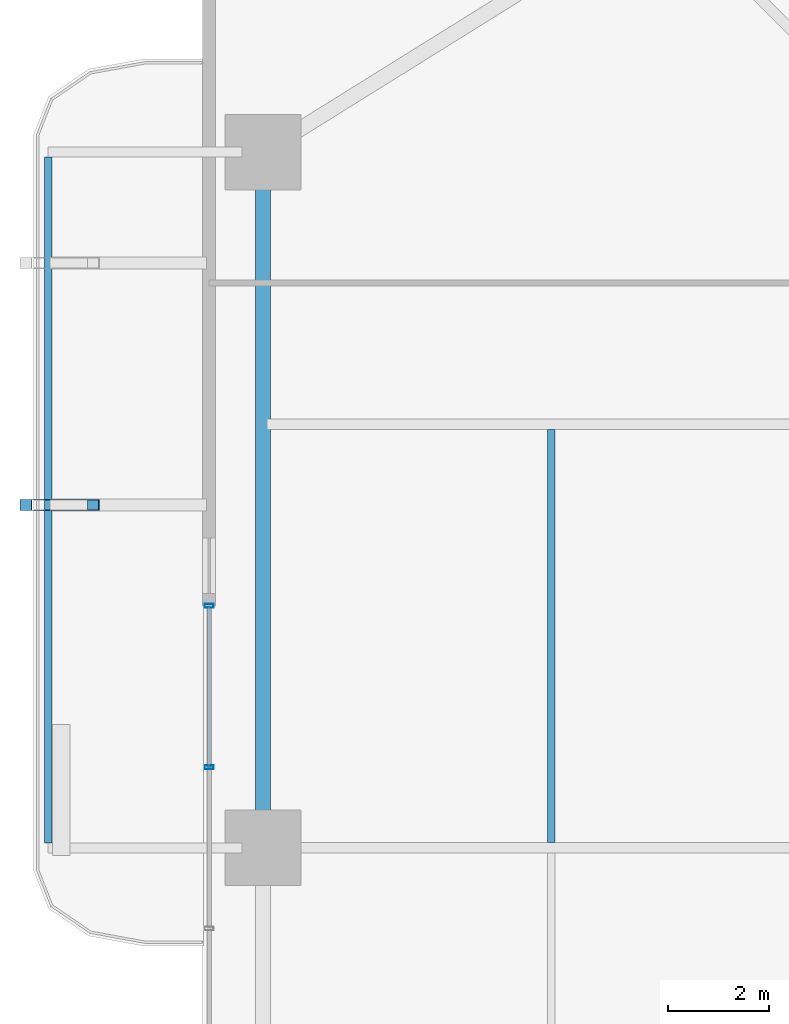
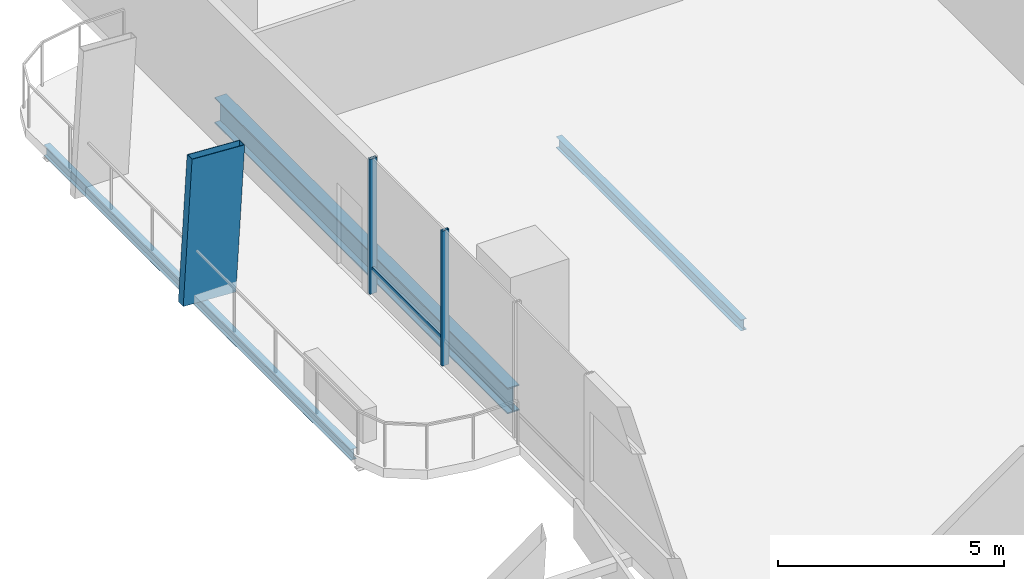
# One storey, part 9 of 23: 4 members, 3 beams, 1 element without a shape of its own.
"""IFC4 building model written with IfcOpenShell, lengths in metres."""

from ifc_helpers import new_model, si_unit, direction, frame, origin, origin_2d, place, context, subcontext, project, spatial, hollow_rectangle, i_section, extrude, material, layer, layer_set, material_profile, profile_set, type_object, element, aggregate, save


model = new_model("IFC4")

# Units and contexts
model_context = context("Model", 3, precision=1e-05, world=origin(), true_north=direction((0.0, 1.0)))
body_context = subcontext(model_context, "Body", "Model", "MODEL_VIEW")
ifc_project = project(units=[si_unit("LENGTHUNIT", "METRE"), si_unit("AREAUNIT", "SQUARE_METRE"), si_unit("VOLUMEUNIT", "CUBIC_METRE"), si_unit("PLANEANGLEUNIT", "RADIAN"), si_unit("MASSUNIT", "GRAM", prefix="KILO")], contexts=[model_context])

# Site, building, storey
site_placement = place(None, origin())
site = spatial("IfcSite", under=ifc_project, at=site_placement, CompositionType="ELEMENT")
building_placement = place(site_placement, origin())
building = spatial("IfcBuilding", under=site, at=building_placement, Name="Belovzor Exchange Tower", CompositionType="ELEMENT")
storey_placement = place(building_placement, frame((0.0, 0.0, 41.699951171875)))
storey = spatial("IfcBuildingStorey", under=building, at=storey_placement, Name="L09", CompositionType="ELEMENT", Elevation=41.699951171875)

# Member
ifc_material_1 = material(Name="Extruded Architectural Terracotta on Steel S355 Carrier", Category="masonry")
ifc_material_profile_1 = material_profile(ifc_material_1, hollow_rectangle(XDim=0.219970703125, YDim=1.35009765625, WallThickness=0.013916015625, at=origin_2d()))
ifc_profile_set_1 = profile_set([ifc_material_profile_1], Name="Extruded Architectural Terracotta on Steel S355 Carrier")
member_type_1 = type_object("IfcMemberType", Name="Base Arc Sweeping Terracotta Pylon Fin 1450", PredefinedType="USERDEFINED", material=ifc_profile_set_1)
member_1_placement = place(storey_placement, frame((-2.0458984375, 35.60009765625, -0.25), z_axis=(0.05755700694, 0.0, 0.998342221361), x_axis=(0.0, 1.0, 0.0)))
element("IfcMember", 1, at=member_1_placement, inside=storey, type_object=member_type_1, Name="FIN-TC145 Terracotta Facade Fin L09 W3", ObjectType="FIN", PredefinedType="USERDEFINED", context=body_context, shape_type="SweptSolid", body=[
    extrude(hollow_rectangle(XDim=0.219970703125, YDim=1.35009765625, WallThickness=0.013916015625, at=origin_2d()), origin(), (0.0, 0.0, 1.0), 3.90673828125),
])

# Beams
ifc_material_2 = material(Name="Steel S355", Category="steel")
ifc_material_profile_2 = material_profile(ifc_material_2, i_section(OverallWidth=0.14990234375, OverallDepth=0.300048828125, WebThickness=0.007080078125, FlangeThickness=0.0107421875, at=origin_2d()))
ifc_profile_set_2 = profile_set([ifc_material_profile_2], Name="Steel S355")
beam_type_1 = type_object("IfcBeamType", Name="Planted Balcony Fascia Edge Beam IPE 300", PredefinedType="BEAM", material=ifc_profile_set_2)
beam_1_placement = place(storey_placement, frame((-2.162109375, 42.5, -0.39990234375), z_axis=(0.0, -1.0, 0.0), x_axis=(1.0, 0.0, 0.0)))
element("IfcBeam", 2, at=beam_1_placement, inside=storey, type_object=beam_type_1, Name="BC-300 Planted Balcony Fascia Edge Beam IPE 300", PredefinedType="BEAM", context=body_context, shape_type="SweptSolid", body=[
    extrude(i_section(OverallWidth=0.14990234375, OverallDepth=0.300048828125, WebThickness=0.007080078125, FlangeThickness=0.0107421875, at=origin_2d()), origin(), (0.0, 0.0, 1.0), 13.60009765625),
])
ifc_material_3 = material(Name="Steel S355", Category="steel")
ifc_material_profile_3 = material_profile(ifc_material_3, i_section(OverallWidth=0.14990234375, OverallDepth=0.300048828125, WebThickness=0.007080078125, FlangeThickness=0.0107421875, at=origin_2d()))
ifc_profile_set_3 = profile_set([ifc_material_profile_3], Name="Steel S355")
beam_type_2 = type_object("IfcBeamType", Name="Secondary Trim Floor Joist IPE 300", PredefinedType="BEAM", material=ifc_profile_set_3)
beam_2_placement = place(storey_placement, frame((7.81494140625, 28.905029296875, -0.39990234375), z_axis=(0.0, 1.0, 0.0), x_axis=(-1.0, 0.0, 0.0)))
element("IfcBeam", 3, at=beam_2_placement, inside=storey, type_object=beam_type_2, Name="FJ-300 Secondary Trim Floor Joist IPE 300", PredefinedType="BEAM", context=body_context, shape_type="SweptSolid", body=[
    extrude(i_section(OverallWidth=0.14990234375, OverallDepth=0.300048828125, WebThickness=0.007080078125, FlangeThickness=0.0107421875, at=origin_2d()), origin(), (0.0, 0.0, 1.0), 8.18994140625),
])

# Curtain wall, members
ifc_material_4 = material(Name="Anodised Aluminium Framing", Category="aluminium")
ifc_layer = layer(ifc_material_4, 0.179931640625)
ifc_layer_set = layer_set([ifc_layer], Name="Anodised Aluminium Framing")
curtain_wall_type = type_object("IfcCurtainWallType", Name="Recessed Loggia Low-Iron Triple-Glazed Curtain Wall", PredefinedType="NOTDEFINED", material=ifc_layer_set)
curtain_wall_placement = place(storey_placement, origin())
curtain_wall = element("IfcCurtainWall", 4, at=curtain_wall_placement, inside=storey, type_object=curtain_wall_type, Name="CW3 Recessed Loggia Low-Iron Triple-Glazed Curtain Wall L09", PredefinedType="NOTDEFINED")
ifc_material_5 = material(Name="Steel S355", Category="steel")
ifc_material_profile_4 = material_profile(ifc_material_5, hollow_rectangle(XDim=0.074951171875, YDim=0.179931640625, WallThickness=0.0048828125, at=origin_2d()))
ifc_profile_set_4 = profile_set([ifc_material_profile_4], Name="Steel S355")
member_type_2 = type_object("IfcMemberType", Name="Thermally Broken Curtain Wall Mullion 180x75", PredefinedType="MULLION", material=ifc_profile_set_4)
member_2_placement = place(storey_placement, frame((1.030029296875, 30.39990234375, 0.0), z_axis=(0.0, 0.0, 1.0), x_axis=(0.0, 1.0, 0.0)))
member_2 = element("IfcMember", 5, at=member_2_placement, type_object=member_type_2, Name="CW-M180 Curtain Wall Mullion 3", PredefinedType="MULLION", context=body_context, shape_type="SweptSolid", body=[
    extrude(hollow_rectangle(XDim=0.074951171875, YDim=0.179931640625, WallThickness=0.0048828125, at=origin_2d()), origin(), (0.0, 0.0, 1.0), 3.650146484375),
])
member_3_placement = place(storey_placement, frame((1.030029296875, 33.60009765625, 0.0), z_axis=(0.0, 0.0, 1.0), x_axis=(0.0, 1.0, 0.0)))
member_3 = element("IfcMember", 6, at=member_3_placement, type_object=member_type_2, Name="CW-M180 Curtain Wall Mullion 4", PredefinedType="MULLION", context=body_context, shape_type="SweptSolid", body=[
    extrude(hollow_rectangle(XDim=0.074951171875, YDim=0.179931640625, WallThickness=0.0048828125, at=origin_2d()), origin(), (0.0, 0.0, 1.0), 3.650146484375),
])
ifc_material_6 = material(Name="Steel S355", Category="steel")
ifc_material_profile_5 = material_profile(ifc_material_6, hollow_rectangle(XDim=0.06005859375, YDim=0.14990234375, WallThickness=0.00390625, at=origin_2d()))
ifc_profile_set_5 = profile_set([ifc_material_profile_5], Name="Steel S355")
member_type_3 = type_object("IfcMemberType", Name="Thermally Broken Curtain Wall Transom 150x60", PredefinedType="USERDEFINED", material=ifc_profile_set_5)
member_4_placement = place(storey_placement, frame((1.030029296875, 30.407958984375, 0.650146484375), z_axis=(0.0, 1.0, 0.0), x_axis=(-1.0, 0.0, 0.0)))
member_4 = element("IfcMember", 7, at=member_4_placement, type_object=member_type_3, Name="CW-T150 Curtain Wall Transom 3", ObjectType="TRANSOM", PredefinedType="USERDEFINED", context=body_context, shape_type="SweptSolid", body=[
    extrude(hollow_rectangle(XDim=0.06005859375, YDim=0.14990234375, WallThickness=0.00390625, at=origin_2d()), origin(), (0.0, 0.0, 1.0), 3.18408203125),
])
aggregate(curtain_wall, [member_2, member_3, member_4])

# Beam
ifc_material_7 = material(Name="Steel S355", Category="steel")
ifc_material_profile_6 = material_profile(ifc_material_7, i_section(OverallWidth=0.300048828125, OverallDepth=0.699951171875, WebThickness=0.01708984375, FlangeThickness=0.031982421875, at=origin_2d()))
ifc_profile_set_6 = profile_set([ifc_material_profile_6], Name="Steel S355")
beam_type_3 = type_object("IfcBeamType", Name="Zone 1 Primary Perimeter Girder HEB 700", PredefinedType="BEAM", material=ifc_profile_set_6)
beam_3_placement = place(storey_placement, frame((2.10009765625, 42.18798828125, -0.599853515625), z_axis=(0.0, -1.0, 0.0), x_axis=(1.0, 0.0, 0.0)))
element("IfcBeam", 8, at=beam_3_placement, inside=storey, type_object=beam_type_3, Name="FG-Z1 Zone 1 Primary Perimeter Girder HEB 700", PredefinedType="BEAM", context=body_context, shape_type="SweptSolid", body=[
    extrude(i_section(OverallWidth=0.300048828125, OverallDepth=0.699951171875, WebThickness=0.01708984375, FlangeThickness=0.031982421875, at=origin_2d()), origin(), (0.0, 0.0, 1.0), 12.97509765625),
])

save(model, "model.ifc")
